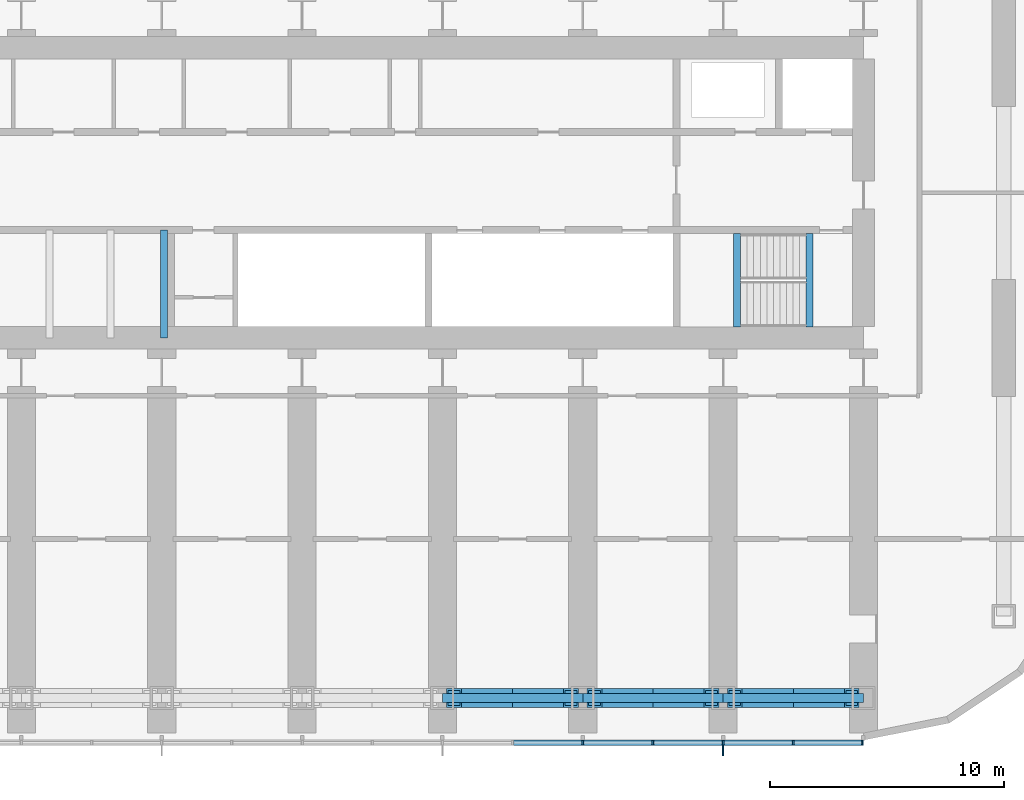
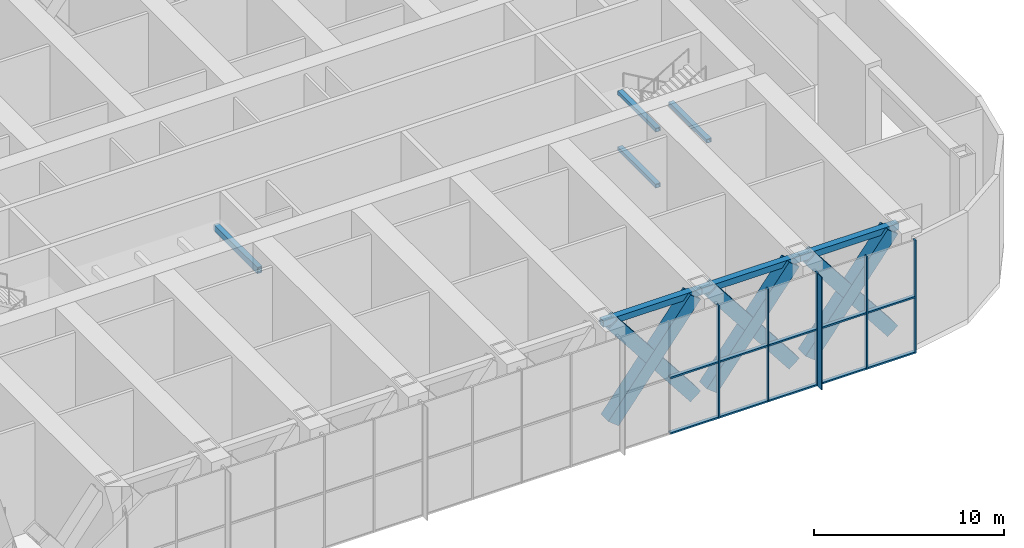
# One storey, part 3 of 22: 22 members, 7 beams, 1 element without a shape of its own.
"""IFC4 building model written with IfcOpenShell, lengths in metres."""

from ifc_helpers import new_model, si_unit, direction, frame, origin, origin_2d, place, context, subcontext, project, spatial, rectangle, hollow_rectangle, extrude, material, material_profile, profile_set, type_object, element, aggregate, save


model = new_model("IFC4")

# Units and contexts
model_context = context("Model", 3, precision=1e-05, world=origin(), true_north=direction((0.0, 1.0)))
body_context = subcontext(model_context, "Body", "Model", "MODEL_VIEW")
ifc_project = project(units=[si_unit("LENGTHUNIT", "METRE"), si_unit("AREAUNIT", "SQUARE_METRE"), si_unit("VOLUMEUNIT", "CUBIC_METRE"), si_unit("PLANEANGLEUNIT", "RADIAN"), si_unit("MASSUNIT", "GRAM", prefix="KILO")], contexts=[model_context])

# Site, building, storey
site_placement = place(None, origin())
site = spatial("IfcSite", under=ifc_project, at=site_placement, CompositionType="ELEMENT")
building_placement = place(site_placement, origin())
building = spatial("IfcBuilding", under=site, at=building_placement, Name="Orbita Commons", CompositionType="ELEMENT")
storey_placement = place(building_placement, frame((0.0, 0.0, 133.14990234375)))
storey = spatial("IfcBuildingStorey", under=building, at=storey_placement, Name="L33", CompositionType="ELEMENT", Elevation=133.14990234375)

# Members
ifc_material_1 = material(Name="Steel ASTM A572 Gr 50 welded plate", Category="steel")
ifc_material_profile_1 = material_profile(ifc_material_1, hollow_rectangle(XDim=0.800048828125, YDim=0.800048828125, WallThickness=0.080078125, at=origin_2d()), Name="BOX 800x800x80")
ifc_profile_set_1 = profile_set([ifc_material_profile_1], Name="Steel ASTM A572 Gr 50 welded plate")
member_type_1 = type_object("IfcMemberType", Name="Belt truss diagonal BOX 800x800x80", PredefinedType="BRACE", material=ifc_profile_set_1)
for number, where, z_axis, x_axis, name in (
    (1, (48.5, 10.39990234375, 0.25), (0.615635291812, 0.0, 0.788031209709), (0.0, 1.0, 0.0), "Belt truss diagonal B 9-10 rising L33"),
    (2, (48.5, 10.39990234375, 6.650146484375), (0.615635291812, 0.0, -0.788031209709), (0.0, 1.0, 0.0), "Belt truss diagonal B 9-10 falling L33"),
    (3, (54.5, 10.39990234375, 0.25), (0.615635291812, 0.0, 0.788031209709), (0.0, 1.0, 0.0), "Belt truss diagonal B 10-11 rising L33"),
    (4, (54.5, 10.39990234375, 6.650146484375), (0.615635291812, 0.0, -0.788031209709), (0.0, 1.0, 0.0), "Belt truss diagonal B 10-11 falling L33"),
    (5, (60.5, 10.39990234375, 0.25), (0.615635291812, 0.0, 0.788031209709), (0.0, 1.0, 0.0), "Belt truss diagonal B 11-12 rising L33"),
    (6, (60.5, 10.39990234375, 6.650146484375), (0.615635291812, 0.0, -0.788031209709), (0.0, 1.0, 0.0), "Belt truss diagonal B 11-12 falling L33"),
):
    element("IfcMember", number, at=place(storey_placement, frame(where, z_axis=z_axis, x_axis=x_axis)), inside=storey, type_object=member_type_1, Name=name, PredefinedType="BRACE", context=body_context, shape_type="SweptSolid", body=[
        extrude(hollow_rectangle(XDim=0.800048828125, YDim=0.800048828125, WallThickness=0.080078125, at=origin_2d()), origin(), (0.0, 0.0, 1.0), 8.12158203125),
    ])

# Curtain wall, members
ifc_material_2 = material(Name="Anodised aluminium frame, pale silver", Category="aluminium")
curtain_wall_type = type_object("IfcCurtainWallType", Name="Louvred curtain wall CW-V", PredefinedType="NOTDEFINED", material=ifc_material_2)
curtain_wall_placement = place(storey_placement, origin())
curtain_wall = element("IfcCurtainWall", 7, at=curtain_wall_placement, inside=storey, type_object=curtain_wall_type, Name="Curtain wall south L33", PredefinedType="NOTDEFINED")
ifc_material_3 = material(Name="Anodised aluminium, pale silver", Category="aluminium")
ifc_material_profile_2 = material_profile(ifc_material_3, rectangle(XDim=0.080078125, YDim=0.219970703125, at=origin_2d()), Name="AL 80x220")
ifc_profile_set_2 = profile_set([ifc_material_profile_2], Name="Anodised aluminium, pale silver")
member_type_2 = type_object("IfcMemberType", Name="Curtain wall mullion 80x220", PredefinedType="MULLION", material=ifc_profile_set_2)
member_1_placement = place(storey_placement, frame((54.0, 8.489990234375, -0.349853515625), z_axis=(0.0, 0.0, 1.0), x_axis=(1.0, 0.0, 0.0)))
member_1 = element("IfcMember", 8, at=member_1_placement, type_object=member_type_2, Name="Mullion 15 CW-L33-S", PredefinedType="MULLION", context=body_context, shape_type="SweptSolid", body=[
    extrude(rectangle(XDim=0.080078125, YDim=0.219970703125, at=origin_2d()), origin(), (0.0, 0.0, 1.0), 7.25),
])
member_2_placement = place(storey_placement, frame((57.0, 8.489990234375, -0.349853515625), z_axis=(0.0, 0.0, 1.0), x_axis=(1.0, 0.0, 0.0)))
member_2 = element("IfcMember", 9, at=member_2_placement, type_object=member_type_2, Name="Mullion 16 CW-L33-S", PredefinedType="MULLION", context=body_context, shape_type="SweptSolid", body=[
    extrude(rectangle(XDim=0.080078125, YDim=0.219970703125, at=origin_2d()), origin(), (0.0, 0.0, 1.0), 7.25),
])
member_3_placement = place(storey_placement, frame((60.0, 8.489990234375, -0.349853515625), z_axis=(0.0, 0.0, 1.0), x_axis=(1.0, 0.0, 0.0)))
member_3 = element("IfcMember", 10, at=member_3_placement, type_object=member_type_2, Name="Mullion 17 CW-L33-S", PredefinedType="MULLION", context=body_context, shape_type="SweptSolid", body=[
    extrude(rectangle(XDim=0.080078125, YDim=0.219970703125, at=origin_2d()), origin(), (0.0, 0.0, 1.0), 7.25),
])
member_4_placement = place(storey_placement, frame((63.0, 8.489990234375, -0.349853515625), z_axis=(0.0, 0.0, 1.0), x_axis=(1.0, 0.0, 0.0)))
member_4 = element("IfcMember", 11, at=member_4_placement, type_object=member_type_2, Name="Mullion 18 CW-L33-S", PredefinedType="MULLION", context=body_context, shape_type="SweptSolid", body=[
    extrude(rectangle(XDim=0.080078125, YDim=0.219970703125, at=origin_2d()), origin(), (0.0, 0.0, 1.0), 7.25),
])
member_5_placement = place(storey_placement, frame((65.9599609375, 8.489990234375, -0.349853515625), z_axis=(0.0, 0.0, 1.0), x_axis=(1.0, 0.0, 0.0)))
member_5 = element("IfcMember", 12, at=member_5_placement, type_object=member_type_2, Name="Mullion 19 CW-L33-S", PredefinedType="MULLION", context=body_context, shape_type="SweptSolid", body=[
    extrude(rectangle(XDim=0.080078125, YDim=0.219970703125, at=origin_2d()), origin(), (0.0, 0.0, 1.0), 7.25),
])
ifc_material_4 = material(Name="Anodised aluminium, pale silver", Category="aluminium")
ifc_material_profile_3 = material_profile(ifc_material_4, rectangle(XDim=0.219970703125, YDim=0.10009765625, at=origin_2d()), Name="AL 220x100")
ifc_profile_set_3 = profile_set([ifc_material_profile_3], Name="Anodised aluminium, pale silver")
member_type_3 = type_object("IfcMemberType", Name="Curtain wall stack transom 220x100", PredefinedType="USERDEFINED", material=ifc_profile_set_3)
member_6_placement = place(storey_placement, frame((51.0400390625, 8.489990234375, -0.2998046875), z_axis=(1.0, 0.0, 0.0), x_axis=(0.0, 1.0, 0.0)))
member_6 = element("IfcMember", 13, at=member_6_placement, type_object=member_type_3, Name="Transom 14.1 CW-L33-S", ObjectType="TRANSOM", PredefinedType="USERDEFINED", context=body_context, shape_type="SweptSolid", body=[
    extrude(rectangle(XDim=0.219970703125, YDim=0.10009765625, at=origin_2d()), origin(), (0.0, 0.0, 1.0), 2.919921875),
])
member_7_placement = place(storey_placement, frame((51.0400390625, 8.489990234375, 3.275146484375), z_axis=(1.0, 0.0, 0.0), x_axis=(0.0, 1.0, 0.0)))
member_7 = element("IfcMember", 14, at=member_7_placement, type_object=member_type_3, Name="Transom 14.2 CW-L33-S", ObjectType="TRANSOM", PredefinedType="USERDEFINED", context=body_context, shape_type="SweptSolid", body=[
    extrude(rectangle(XDim=0.219970703125, YDim=0.10009765625, at=origin_2d()), origin(), (0.0, 0.0, 1.0), 2.919921875),
])
member_8_placement = place(storey_placement, frame((54.0400390625, 8.489990234375, -0.2998046875), z_axis=(1.0, 0.0, 0.0), x_axis=(0.0, 1.0, 0.0)))
member_8 = element("IfcMember", 15, at=member_8_placement, type_object=member_type_3, Name="Transom 15.1 CW-L33-S", ObjectType="TRANSOM", PredefinedType="USERDEFINED", context=body_context, shape_type="SweptSolid", body=[
    extrude(rectangle(XDim=0.219970703125, YDim=0.10009765625, at=origin_2d()), origin(), (0.0, 0.0, 1.0), 2.919921875),
])
member_9_placement = place(storey_placement, frame((54.0400390625, 8.489990234375, 3.275146484375), z_axis=(1.0, 0.0, 0.0), x_axis=(0.0, 1.0, 0.0)))
member_9 = element("IfcMember", 16, at=member_9_placement, type_object=member_type_3, Name="Transom 15.2 CW-L33-S", ObjectType="TRANSOM", PredefinedType="USERDEFINED", context=body_context, shape_type="SweptSolid", body=[
    extrude(rectangle(XDim=0.219970703125, YDim=0.10009765625, at=origin_2d()), origin(), (0.0, 0.0, 1.0), 2.919921875),
])
member_10_placement = place(storey_placement, frame((57.0400390625, 8.489990234375, -0.2998046875), z_axis=(1.0, 0.0, 0.0), x_axis=(0.0, 1.0, 0.0)))
member_10 = element("IfcMember", 17, at=member_10_placement, type_object=member_type_3, Name="Transom 16.1 CW-L33-S", ObjectType="TRANSOM", PredefinedType="USERDEFINED", context=body_context, shape_type="SweptSolid", body=[
    extrude(rectangle(XDim=0.219970703125, YDim=0.10009765625, at=origin_2d()), origin(), (0.0, 0.0, 1.0), 2.919921875),
])
member_11_placement = place(storey_placement, frame((57.0400390625, 8.489990234375, 3.275146484375), z_axis=(1.0, 0.0, 0.0), x_axis=(0.0, 1.0, 0.0)))
member_11 = element("IfcMember", 18, at=member_11_placement, type_object=member_type_3, Name="Transom 16.2 CW-L33-S", ObjectType="TRANSOM", PredefinedType="USERDEFINED", context=body_context, shape_type="SweptSolid", body=[
    extrude(rectangle(XDim=0.219970703125, YDim=0.10009765625, at=origin_2d()), origin(), (0.0, 0.0, 1.0), 2.919921875),
])
member_12_placement = place(storey_placement, frame((60.0400390625, 8.489990234375, -0.2998046875), z_axis=(1.0, 0.0, 0.0), x_axis=(0.0, 1.0, 0.0)))
member_12 = element("IfcMember", 19, at=member_12_placement, type_object=member_type_3, Name="Transom 17.1 CW-L33-S", ObjectType="TRANSOM", PredefinedType="USERDEFINED", context=body_context, shape_type="SweptSolid", body=[
    extrude(rectangle(XDim=0.219970703125, YDim=0.10009765625, at=origin_2d()), origin(), (0.0, 0.0, 1.0), 2.919921875),
])
member_13_placement = place(storey_placement, frame((60.0400390625, 8.489990234375, 3.275146484375), z_axis=(1.0, 0.0, 0.0), x_axis=(0.0, 1.0, 0.0)))
member_13 = element("IfcMember", 20, at=member_13_placement, type_object=member_type_3, Name="Transom 17.2 CW-L33-S", ObjectType="TRANSOM", PredefinedType="USERDEFINED", context=body_context, shape_type="SweptSolid", body=[
    extrude(rectangle(XDim=0.219970703125, YDim=0.10009765625, at=origin_2d()), origin(), (0.0, 0.0, 1.0), 2.919921875),
])
member_14_placement = place(storey_placement, frame((63.0400390625, 8.489990234375, -0.2998046875), z_axis=(1.0, 0.0, 0.0), x_axis=(0.0, 1.0, 0.0)))
member_14 = element("IfcMember", 21, at=member_14_placement, type_object=member_type_3, Name="Transom 18.1 CW-L33-S", ObjectType="TRANSOM", PredefinedType="USERDEFINED", context=body_context, shape_type="SweptSolid", body=[
    extrude(rectangle(XDim=0.219970703125, YDim=0.10009765625, at=origin_2d()), origin(), (0.0, 0.0, 1.0), 2.8798828125),
])
member_15_placement = place(storey_placement, frame((63.0400390625, 8.489990234375, 3.275146484375), z_axis=(1.0, 0.0, 0.0), x_axis=(0.0, 1.0, 0.0)))
member_15 = element("IfcMember", 22, at=member_15_placement, type_object=member_type_3, Name="Transom 18.2 CW-L33-S", ObjectType="TRANSOM", PredefinedType="USERDEFINED", context=body_context, shape_type="SweptSolid", body=[
    extrude(rectangle(XDim=0.219970703125, YDim=0.10009765625, at=origin_2d()), origin(), (0.0, 0.0, 1.0), 2.8798828125),
])

# Beams
ifc_material_5 = material(Name="Steel ASTM A572 Gr 50 welded plate", Category="steel")
ifc_material_profile_4 = material_profile(ifc_material_5, hollow_rectangle(XDim=0.300048828125, YDim=0.39990234375, WallThickness=0.0400390625, at=origin_2d()), Name="BOX 400x300x40")
ifc_profile_set_4 = profile_set([ifc_material_profile_4], Name="Steel ASTM A572 Gr 50 welded plate")
beam_type_1 = type_object("IfcBeamType", Name="Lift pit beam steel BOX 400x300x40", PredefinedType="BEAM", material=ifc_profile_set_4)
beam_placement = place(storey_placement, frame((36.10009765625, 25.800048828125, 4.900146484375), z_axis=(0.0, 1.0, 0.0), x_axis=(-1.0, 0.0, 0.0)))
element("IfcBeam", 23, at=beam_placement, inside=storey, type_object=beam_type_1, Name="Lift pit slab bank P3 beam 5", PredefinedType="BEAM", context=body_context, shape_type="SweptSolid", body=[
    extrude(hollow_rectangle(XDim=0.300048828125, YDim=0.39990234375, WallThickness=0.0400390625, at=origin_2d()), origin(), (0.0, 0.0, 1.0), 4.599853515625),
])
ifc_material_6 = material(Name="Steel ASTM A572 Gr 50 welded plate", Category="steel")
ifc_material_profile_5 = material_profile(ifc_material_6, hollow_rectangle(XDim=0.300048828125, YDim=0.25, WallThickness=0.02490234375, at=origin_2d()), Name="BOX 250x300x25")
ifc_profile_set_5 = profile_set([ifc_material_profile_5], Name="Steel ASTM A572 Gr 50 welded plate")
beam_type_2 = type_object("IfcBeamType", Name="Stair landing beam steel BOX 250x300x25", PredefinedType="BEAM", material=ifc_profile_set_5)
for number, where, z_axis, x_axis, name in (
    (24, (60.60009765625, 26.260009765625, 1.47509765625), (0.0, 1.0, 0.0), (-1.0, 0.0, 0.0), "Stair S2 landing beam L33 1"),
    (25, (63.699951171875, 26.260009765625, 3.275146484375), (0.0, 1.0, 0.0), (-1.0, 0.0, 0.0), "Stair S2 landing beam L33 2"),
    (26, (60.60009765625, 26.260009765625, 5.0751953125), (0.0, 1.0, 0.0), (-1.0, 0.0, 0.0), "Stair S2 landing beam L33 3"),
):
    element("IfcBeam", number, at=place(storey_placement, frame(where, z_axis=z_axis, x_axis=x_axis)), inside=storey, type_object=beam_type_2, Name=name, PredefinedType="BEAM", context=body_context, shape_type="SweptSolid", body=[
        extrude(hollow_rectangle(XDim=0.300048828125, YDim=0.25, WallThickness=0.02490234375, at=origin_2d()), origin(), (0.0, 0.0, 1.0), 4.0048828125),
    ])
ifc_material_7 = material(Name="Steel ASTM A572 Gr 50 welded plate", Category="steel")
ifc_material_profile_6 = material_profile(ifc_material_7, hollow_rectangle(XDim=0.39990234375, YDim=0.39990234375, WallThickness=0.0400390625, at=origin_2d()), Name="BOX 400x400x40")
ifc_profile_set_6 = profile_set([ifc_material_profile_6], Name="Steel ASTM A572 Gr 50 welded plate")
beam_type_3 = type_object("IfcBeamType", Name="Steel spandrel BOX 400x400x40", PredefinedType="SPANDREL", material=ifc_profile_set_6)
for number, where, z_axis, x_axis, name in (
    (27, (48.0, 10.39990234375, 6.7001953125), (1.0, 0.0, 0.0), (0.0, 1.0, 0.0), "Spandrel beam B 9-10 L33"),
    (28, (54.0, 10.39990234375, 6.7001953125), (1.0, 0.0, 0.0), (0.0, 1.0, 0.0), "Spandrel beam B 10-11 L33"),
    (29, (60.0, 10.39990234375, 6.7001953125), (1.0, 0.0, 0.0), (0.0, 1.0, 0.0), "Spandrel beam B 11-12 L33"),
):
    element("IfcBeam", number, at=place(storey_placement, frame(where, z_axis=z_axis, x_axis=x_axis)), inside=storey, type_object=beam_type_3, Name=name, PredefinedType="SPANDREL", context=body_context, shape_type="SweptSolid", body=[
        extrude(hollow_rectangle(XDim=0.39990234375, YDim=0.39990234375, WallThickness=0.0400390625, at=origin_2d()), origin(), (0.0, 0.0, 1.0), 6.0),
    ])

# Member
ifc_material_8 = material(Name="Anodised aluminium, pale silver", Category="aluminium")
ifc_material_profile_7 = material_profile(ifc_material_8, rectangle(XDim=0.06005859375, YDim=0.449951171875, at=origin_2d()), Name="FIN 60x450")
ifc_profile_set_7 = profile_set([ifc_material_profile_7], Name="Anodised aluminium, pale silver")
member_type_4 = type_object("IfcMemberType", Name="Vertical fin 60x450 pale aluminium", PredefinedType="USERDEFINED", material=ifc_profile_set_7)
member_16_placement = place(storey_placement, frame((60.0, 8.155029296875, -0.349853515625), z_axis=(0.0, 0.0, 1.0), x_axis=(1.0, 0.0, 0.0)))
member_16 = element("IfcMember", 30, at=member_16_placement, type_object=member_type_4, Name="Fin 17 CW-L33-S", ObjectType="FIN", PredefinedType="USERDEFINED", context=body_context, shape_type="SweptSolid", body=[
    extrude(rectangle(XDim=0.06005859375, YDim=0.449951171875, at=origin_2d()), origin(), (0.0, 0.0, 1.0), 7.25),
])

aggregate(curtain_wall, [member_1, member_2, member_3, member_16, member_4, member_5, member_6, member_7, member_8, member_9, member_10, member_11, member_12, member_13, member_14, member_15])

save(model, "model.ifc")
